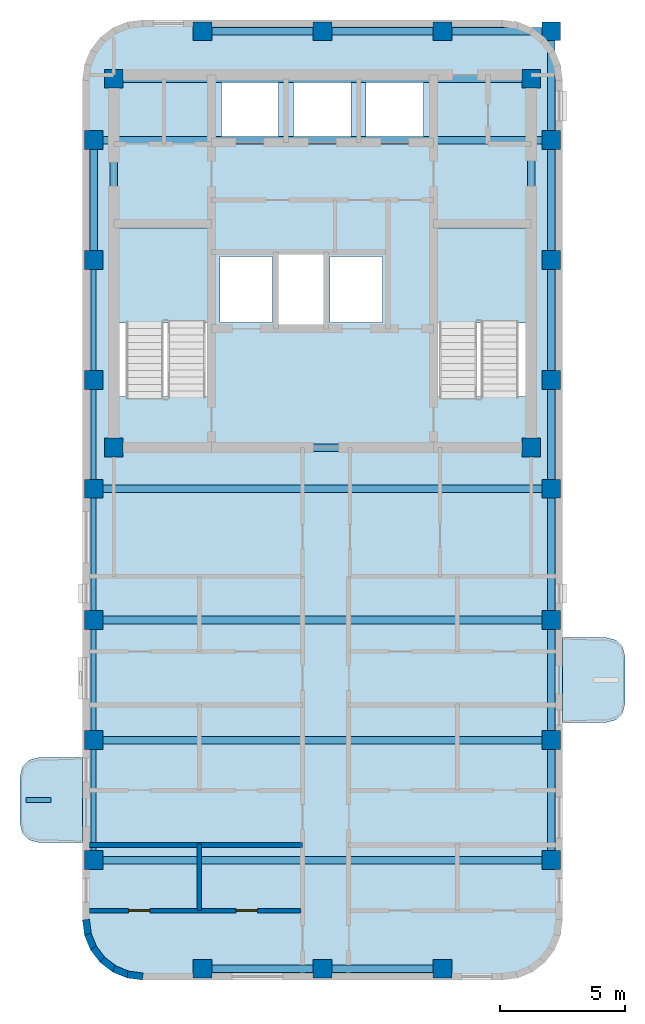
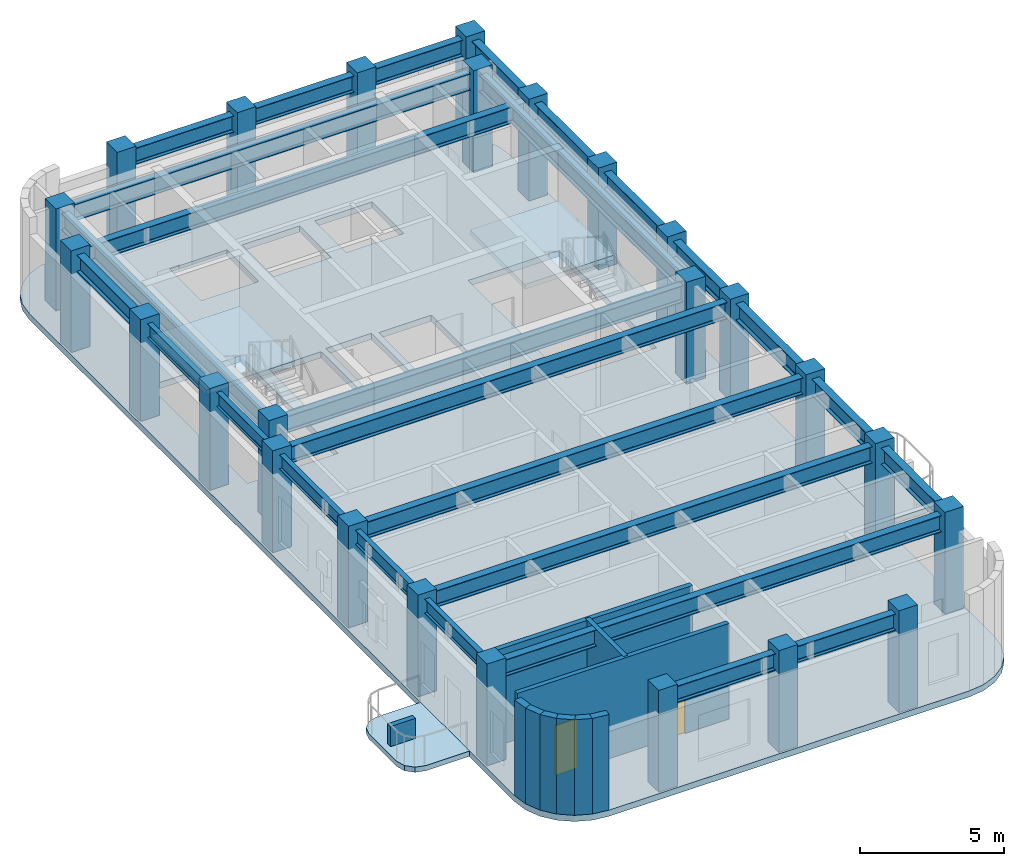
# One storey, part 1 of 6: 27 beams, 25 columns, 10 walls, 5 slabs, 2 doors, 2 openings, 2 elements without a shape of their own.
"""IFC4 building model written with IfcOpenShell, lengths in metres."""

from ifc_helpers import new_model, si_unit, direction, frame, frame_2d, origin, origin_2d, place, context, subcontext, project, spatial, polyline, rectangle, i_section, outline, extrude, material, layer, layer_set, material_profile, profile_set, type_object, element, fill, aggregate, save


model = new_model("IFC4")

# Units and contexts
model_context = context("Model", 3, precision=1e-05, world=origin(), true_north=direction((0.0, 1.0)))
body_context = subcontext(model_context, "Body", "Model", "MODEL_VIEW")
ifc_project = project(units=[si_unit("LENGTHUNIT", "METRE"), si_unit("AREAUNIT", "SQUARE_METRE"), si_unit("VOLUMEUNIT", "CUBIC_METRE"), si_unit("PLANEANGLEUNIT", "RADIAN"), si_unit("MASSUNIT", "GRAM", prefix="KILO")], contexts=[model_context])

# Site, building, storey
site_placement = place(None, origin())
site = spatial("IfcSite", under=ifc_project, at=site_placement, CompositionType="ELEMENT")
building_placement = place(site_placement, origin())
building = spatial("IfcBuilding", under=site, at=building_placement, Name="Orvandelia Arch Residences", CompositionType="ELEMENT")
storey_placement = place(building_placement, frame((0.0, 0.0, 248.39990234375)))
storey = spatial("IfcBuildingStorey", under=building, at=storey_placement, Name="L65", CompositionType="ELEMENT", Elevation=248.39990234375)

# Columns
ifc_material_1 = material(Name="Concrete C50/60", Category="concrete")
ifc_material_profile_1 = material_profile(ifc_material_1, rectangle(XDim=0.75, YDim=0.75, at=origin_2d()), Name="Concrete C50/60", Category="concrete")
ifc_profile_set_1 = profile_set([ifc_material_profile_1], Name="Concrete C50/60")
column_type = type_object("IfcColumnType", Name="COL-TWR-750", PredefinedType="COLUMN", material=ifc_profile_set_1)
for number, where, z_axis, x_axis, name in (
    (1, (5.25, 14.39990234375, 0.0), (0.0, 0.0, 1.0), (1.0, 0.0, 0.0), "Structural Column L65-W-W-144"),
    (2, (5.25, 19.199951171875, 0.0), (0.0, 0.0, 1.0), (1.0, 0.0, 0.0), "Structural Column L65-W-W-192"),
    (3, (5.25, 24.0, 0.0), (0.0, 0.0, 1.0), (1.0, 0.0, 0.0), "Structural Column L65-W-W-240"),
    (4, (5.25, 29.25, 0.0), (0.0, 0.0, 1.0), (1.0, 0.0, 0.0), "Structural Column L65-W-W-292"),
    (5, (5.25, 33.60009765625, 0.0), (0.0, 0.0, 1.0), (1.0, 0.0, 0.0), "Structural Column L65-W-W-336"),
    (6, (5.25, 38.39990234375, 0.0), (0.0, 0.0, 1.0), (1.0, 0.0, 0.0), "Structural Column L65-W-W-384"),
    (7, (5.25, 43.199951171875, 0.0), (0.0, 0.0, 1.0), (1.0, 0.0, 0.0), "Structural Column L65-W-W-432"),
    (8, (6.050048828125, 30.89990234375, 0.0), (0.0, 0.0, 1.0), (1.0, 0.0, 0.0), "Structural Column L65-CR-SW"),
    (9, (6.050048828125, 45.64990234375, 0.0), (0.0, 0.0, 1.0), (1.0, 0.0, 0.0), "Structural Column L65-CR-NW"),
    (10, (9.60009765625, 10.050048828125, 0.0), (0.0, 0.0, 1.0), (1.0, 0.0, 0.0), "Structural Column L65-W-S-96"),
    (11, (9.60009765625, 47.550048828125, 0.0), (0.0, 0.0, 1.0), (1.0, 0.0, 0.0), "Structural Column L65-W-N-96"),
    (12, (14.39990234375, 10.050048828125, 0.0), (0.0, 0.0, 1.0), (1.0, 0.0, 0.0), "Structural Column L65-W-S-144"),
    (13, (14.39990234375, 47.550048828125, 0.0), (0.0, 0.0, 1.0), (1.0, 0.0, 0.0), "Structural Column L65-W-N-144"),
    (14, (19.199951171875, 10.050048828125, 0.0), (0.0, 0.0, 1.0), (1.0, 0.0, 0.0), "Structural Column L65-W-S-192"),
    (15, (19.199951171875, 47.550048828125, 0.0), (0.0, 0.0, 1.0), (1.0, 0.0, 0.0), "Structural Column L65-W-N-192"),
    (16, (22.75, 30.89990234375, 0.0), (0.0, 0.0, 1.0), (1.0, 0.0, 0.0), "Structural Column L65-CR-SE"),
    (17, (22.75, 45.64990234375, 0.0), (0.0, 0.0, 1.0), (1.0, 0.0, 0.0), "Structural Column L65-CR-NE"),
    (18, (23.550048828125, 14.39990234375, 0.0), (0.0, 0.0, 1.0), (1.0, 0.0, 0.0), "Structural Column L65-W-E-144"),
    (19, (23.550048828125, 19.199951171875, 0.0), (0.0, 0.0, 1.0), (1.0, 0.0, 0.0), "Structural Column L65-W-E-192"),
    (20, (23.550048828125, 24.0, 0.0), (0.0, 0.0, 1.0), (1.0, 0.0, 0.0), "Structural Column L65-W-E-240"),
    (21, (23.550048828125, 29.25, 0.0), (0.0, 0.0, 1.0), (1.0, 0.0, 0.0), "Structural Column L65-W-E-292"),
    (22, (23.550048828125, 33.60009765625, 0.0), (0.0, 0.0, 1.0), (1.0, 0.0, 0.0), "Structural Column L65-W-E-336"),
    (23, (23.550048828125, 38.39990234375, 0.0), (0.0, 0.0, 1.0), (1.0, 0.0, 0.0), "Structural Column L65-W-E-384"),
    (24, (23.550048828125, 43.199951171875, 0.0), (0.0, 0.0, 1.0), (1.0, 0.0, 0.0), "Structural Column L65-W-E-432"),
    (25, (23.550048828125, 47.550048828125, 0.0), (0.0, 0.0, 1.0), (1.0, 0.0, 0.0), "Structural Column L65-W-N-235"),
):
    element("IfcColumn", number, at=place(storey_placement, frame(where, z_axis=z_axis, x_axis=x_axis)), inside=storey, type_object=column_type, Name=name, PredefinedType="COLUMN", context=body_context, shape_type="SweptSolid", body=[
        extrude(rectangle(XDim=0.75, YDim=0.75, at=origin_2d()), origin(), (0.0, 0.0, 1.0), 4.300048828125),
    ])

# Beams
ifc_material_2 = material(Name="Structural Steel SM355 (355 MPa)", Category="steel")
ifc_material_profile_2 = material_profile(ifc_material_2, i_section(OverallWidth=0.300048828125, OverallDepth=0.699951171875, WebThickness=0.012939453125, FlangeThickness=0.02392578125, FilletRadius=0.02392578125, at=origin_2d()), Name="Structural Steel SM355 (355 MPa)", Category="steel")
ifc_profile_set_2 = profile_set([ifc_material_profile_2], Name="Structural Steel SM355 (355 MPa)")
beam_type_1 = type_object("IfcBeamType", Name="BM-GRD-H700", PredefinedType="BEAM", material=ifc_profile_set_2)
beam_1_placement = place(storey_placement, frame((5.25, 38.39990234375, 3.690185546875), z_axis=(0.0, 1.0, 0.0), x_axis=(-1.0, 0.0, 0.0)))
element("IfcBeam", 26, at=beam_1_placement, inside=storey, type_object=beam_type_1, Name="Structural Frame Beam L65-NS-006", PredefinedType="BEAM", context=body_context, shape_type="SweptSolid", body=[
    extrude(i_section(OverallWidth=0.300048828125, OverallDepth=0.699951171875, WebThickness=0.012939453125, FlangeThickness=0.02392578125, FilletRadius=0.02392578125, at=origin_2d()), origin(), (0.0, 0.0, 1.0), 4.800048828125),
])
for number, where, z_axis, x_axis, name in (
    (27, (6.050048828125, 30.89990234375, 3.690185546875), (0.0, 1.0, 0.0), (-1.0, 0.0, 0.0), "Structural Frame Beam L65-NS-007"),
    (28, (22.75, 30.89990234375, 3.690185546875), (0.0, 1.0, 0.0), (-1.0, 0.0, 0.0), "Structural Frame Beam L65-NS-008"),
):
    element("IfcBeam", number, at=place(storey_placement, frame(where, z_axis=z_axis, x_axis=x_axis)), inside=storey, type_object=beam_type_1, Name=name, PredefinedType="BEAM", context=body_context, shape_type="SweptSolid", body=[
        extrude(i_section(OverallWidth=0.300048828125, OverallDepth=0.699951171875, WebThickness=0.012939453125, FlangeThickness=0.02392578125, FilletRadius=0.02392578125, at=origin_2d()), origin(), (0.0, 0.0, 1.0), 14.75),
    ])
for number, where, z_axis, x_axis, name in (
    (29, (23.550048828125, 14.39990234375, 3.690185546875), (0.0, 1.0, 0.0), (-1.0, 0.0, 0.0), "Structural Frame Beam L65-NS-009"),
    (30, (23.550048828125, 19.199951171875, 3.690185546875), (0.0, 1.0, 0.0), (-1.0, 0.0, 0.0), "Structural Frame Beam L65-NS-010"),
):
    element("IfcBeam", number, at=place(storey_placement, frame(where, z_axis=z_axis, x_axis=x_axis)), inside=storey, type_object=beam_type_1, Name=name, PredefinedType="BEAM", context=body_context, shape_type="SweptSolid", body=[
        extrude(i_section(OverallWidth=0.300048828125, OverallDepth=0.699951171875, WebThickness=0.012939453125, FlangeThickness=0.02392578125, FilletRadius=0.02392578125, at=origin_2d()), origin(), (0.0, 0.0, 1.0), 4.800048828125),
    ])
beam_2_placement = place(storey_placement, frame((23.550048828125, 24.0, 3.690185546875), z_axis=(0.0, 1.0, 0.0), x_axis=(-1.0, 0.0, 0.0)))
element("IfcBeam", 31, at=beam_2_placement, inside=storey, type_object=beam_type_1, Name="Structural Frame Beam L65-NS-011", PredefinedType="BEAM", context=body_context, shape_type="SweptSolid", body=[
    extrude(i_section(OverallWidth=0.300048828125, OverallDepth=0.699951171875, WebThickness=0.012939453125, FlangeThickness=0.02392578125, FilletRadius=0.02392578125, at=origin_2d()), origin(), (0.0, 0.0, 1.0), 5.25),
])
beam_3_placement = place(storey_placement, frame((23.550048828125, 29.25, 3.690185546875), z_axis=(0.0, 1.0, 0.0), x_axis=(-1.0, 0.0, 0.0)))
element("IfcBeam", 32, at=beam_3_placement, inside=storey, type_object=beam_type_1, Name="Structural Frame Beam L65-NS-012", PredefinedType="BEAM", context=body_context, shape_type="SweptSolid", body=[
    extrude(i_section(OverallWidth=0.300048828125, OverallDepth=0.699951171875, WebThickness=0.012939453125, FlangeThickness=0.02392578125, FilletRadius=0.02392578125, at=origin_2d()), origin(), (0.0, 0.0, 1.0), 4.35009765625),
])
beam_4_placement = place(storey_placement, frame((23.550048828125, 33.60009765625, 3.690185546875), z_axis=(0.0, 1.0, 0.0), x_axis=(-1.0, 0.0, 0.0)))
element("IfcBeam", 33, at=beam_4_placement, inside=storey, type_object=beam_type_1, Name="Structural Frame Beam L65-NS-013", PredefinedType="BEAM", context=body_context, shape_type="SweptSolid", body=[
    extrude(i_section(OverallWidth=0.300048828125, OverallDepth=0.699951171875, WebThickness=0.012939453125, FlangeThickness=0.02392578125, FilletRadius=0.02392578125, at=origin_2d()), origin(), (0.0, 0.0, 1.0), 4.7998046875),
])
beam_5_placement = place(storey_placement, frame((23.550048828125, 38.39990234375, 3.690185546875), z_axis=(0.0, 1.0, 0.0), x_axis=(-1.0, 0.0, 0.0)))
element("IfcBeam", 34, at=beam_5_placement, inside=storey, type_object=beam_type_1, Name="Structural Frame Beam L65-NS-014", PredefinedType="BEAM", context=body_context, shape_type="SweptSolid", body=[
    extrude(i_section(OverallWidth=0.300048828125, OverallDepth=0.699951171875, WebThickness=0.012939453125, FlangeThickness=0.02392578125, FilletRadius=0.02392578125, at=origin_2d()), origin(), (0.0, 0.0, 1.0), 4.800048828125),
])
beam_6_placement = place(storey_placement, frame((23.550048828125, 43.199951171875, 3.690185546875), z_axis=(0.0, 1.0, 0.0), x_axis=(-1.0, 0.0, 0.0)))
element("IfcBeam", 35, at=beam_6_placement, inside=storey, type_object=beam_type_1, Name="Structural Frame Beam L65-NS-015", PredefinedType="BEAM", context=body_context, shape_type="SweptSolid", body=[
    extrude(i_section(OverallWidth=0.300048828125, OverallDepth=0.699951171875, WebThickness=0.012939453125, FlangeThickness=0.02392578125, FilletRadius=0.02392578125, at=origin_2d()), origin(), (0.0, 0.0, 1.0), 4.35009765625),
])
beam_7_placement = place(storey_placement, frame((9.60009765625, 10.050048828125, 3.690185546875), z_axis=(1.0, 0.0, 0.0), x_axis=(0.0, 1.0, 0.0)))
element("IfcBeam", 36, at=beam_7_placement, inside=storey, type_object=beam_type_1, Name="Structural Frame Girder L65-EW-016", PredefinedType="BEAM", context=body_context, shape_type="SweptSolid", body=[
    extrude(i_section(OverallWidth=0.300048828125, OverallDepth=0.699951171875, WebThickness=0.012939453125, FlangeThickness=0.02392578125, FilletRadius=0.02392578125, at=origin_2d()), origin(), (0.0, 0.0, 1.0), 4.7998046875),
])
beam_8_placement = place(storey_placement, frame((14.39990234375, 10.050048828125, 3.690185546875), z_axis=(1.0, 0.0, 0.0), x_axis=(0.0, 1.0, 0.0)))
element("IfcBeam", 37, at=beam_8_placement, inside=storey, type_object=beam_type_1, Name="Structural Frame Girder L65-EW-017", PredefinedType="BEAM", context=body_context, shape_type="SweptSolid", body=[
    extrude(i_section(OverallWidth=0.300048828125, OverallDepth=0.699951171875, WebThickness=0.012939453125, FlangeThickness=0.02392578125, FilletRadius=0.02392578125, at=origin_2d()), origin(), (0.0, 0.0, 1.0), 4.800048828125),
])
for number, where, z_axis, x_axis, name in (
    (38, (5.25, 14.39990234375, 3.690185546875), (1.0, 0.0, 0.0), (0.0, 1.0, 0.0), "Structural Frame Girder L65-EW-018"),
    (39, (5.25, 19.199951171875, 3.690185546875), (1.0, 0.0, 0.0), (0.0, 1.0, 0.0), "Structural Frame Girder L65-EW-019"),
    (40, (5.25, 24.0, 3.690185546875), (1.0, 0.0, 0.0), (0.0, 1.0, 0.0), "Structural Frame Girder L65-EW-020"),
    (41, (5.25, 29.25, 3.690185546875), (1.0, 0.0, 0.0), (0.0, 1.0, 0.0), "Structural Frame Girder L65-EW-021"),
):
    element("IfcBeam", number, at=place(storey_placement, frame(where, z_axis=z_axis, x_axis=x_axis)), inside=storey, type_object=beam_type_1, Name=name, PredefinedType="BEAM", context=body_context, shape_type="SweptSolid", body=[
        extrude(i_section(OverallWidth=0.300048828125, OverallDepth=0.699951171875, WebThickness=0.012939453125, FlangeThickness=0.02392578125, FilletRadius=0.02392578125, at=origin_2d()), origin(), (0.0, 0.0, 1.0), 18.300048828125),
    ])
beam_9_placement = place(storey_placement, frame((6.050048828125, 30.89990234375, 3.690185546875), z_axis=(1.0, 0.0, 0.0), x_axis=(0.0, 1.0, 0.0)))
element("IfcBeam", 42, at=beam_9_placement, inside=storey, type_object=beam_type_1, Name="Structural Frame Girder L65-EW-022", PredefinedType="BEAM", context=body_context, shape_type="SweptSolid", body=[
    extrude(i_section(OverallWidth=0.300048828125, OverallDepth=0.699951171875, WebThickness=0.012939453125, FlangeThickness=0.02392578125, FilletRadius=0.02392578125, at=origin_2d()), origin(), (0.0, 0.0, 1.0), 16.699951171875),
])
beam_10_placement = place(storey_placement, frame((5.25, 43.199951171875, 3.690185546875), z_axis=(1.0, 0.0, 0.0), x_axis=(0.0, 1.0, 0.0)))
element("IfcBeam", 43, at=beam_10_placement, inside=storey, type_object=beam_type_1, Name="Structural Frame Girder L65-EW-025", PredefinedType="BEAM", context=body_context, shape_type="SweptSolid", body=[
    extrude(i_section(OverallWidth=0.300048828125, OverallDepth=0.699951171875, WebThickness=0.012939453125, FlangeThickness=0.02392578125, FilletRadius=0.02392578125, at=origin_2d()), origin(), (0.0, 0.0, 1.0), 18.300048828125),
])
beam_11_placement = place(storey_placement, frame((6.050048828125, 45.64990234375, 3.690185546875), z_axis=(1.0, 0.0, 0.0), x_axis=(0.0, 1.0, 0.0)))
element("IfcBeam", 44, at=beam_11_placement, inside=storey, type_object=beam_type_1, Name="Structural Frame Girder L65-EW-026", PredefinedType="BEAM", context=body_context, shape_type="SweptSolid", body=[
    extrude(i_section(OverallWidth=0.300048828125, OverallDepth=0.699951171875, WebThickness=0.012939453125, FlangeThickness=0.02392578125, FilletRadius=0.02392578125, at=origin_2d()), origin(), (0.0, 0.0, 1.0), 16.699951171875),
])
beam_12_placement = place(storey_placement, frame((9.60009765625, 47.550048828125, 3.690185546875), z_axis=(1.0, 0.0, 0.0), x_axis=(0.0, 1.0, 0.0)))
element("IfcBeam", 45, at=beam_12_placement, inside=storey, type_object=beam_type_1, Name="Structural Frame Girder L65-EW-027", PredefinedType="BEAM", context=body_context, shape_type="SweptSolid", body=[
    extrude(i_section(OverallWidth=0.300048828125, OverallDepth=0.699951171875, WebThickness=0.012939453125, FlangeThickness=0.02392578125, FilletRadius=0.02392578125, at=origin_2d()), origin(), (0.0, 0.0, 1.0), 4.7998046875),
])
beam_13_placement = place(storey_placement, frame((14.39990234375, 47.550048828125, 3.690185546875), z_axis=(1.0, 0.0, 0.0), x_axis=(0.0, 1.0, 0.0)))
element("IfcBeam", 46, at=beam_13_placement, inside=storey, type_object=beam_type_1, Name="Structural Frame Girder L65-EW-028", PredefinedType="BEAM", context=body_context, shape_type="SweptSolid", body=[
    extrude(i_section(OverallWidth=0.300048828125, OverallDepth=0.699951171875, WebThickness=0.012939453125, FlangeThickness=0.02392578125, FilletRadius=0.02392578125, at=origin_2d()), origin(), (0.0, 0.0, 1.0), 4.800048828125),
])
beam_14_placement = place(storey_placement, frame((19.199951171875, 47.550048828125, 3.690185546875), z_axis=(1.0, 0.0, 0.0), x_axis=(0.0, 1.0, 0.0)))
element("IfcBeam", 47, at=beam_14_placement, inside=storey, type_object=beam_type_1, Name="Structural Frame Girder L65-EW-029", PredefinedType="BEAM", context=body_context, shape_type="SweptSolid", body=[
    extrude(i_section(OverallWidth=0.300048828125, OverallDepth=0.699951171875, WebThickness=0.012939453125, FlangeThickness=0.02392578125, FilletRadius=0.02392578125, at=origin_2d()), origin(), (0.0, 0.0, 1.0), 4.35009765625),
])
ifc_material_profile_3 = material_profile(ifc_material_2, i_section(OverallWidth=0.199951171875, OverallDepth=0.60009765625, WebThickness=0.010986328125, FlangeThickness=0.01708984375, FilletRadius=0.02197265625, at=origin_2d()), Name="Structural Steel SM355 (355 MPa)", Category="steel")
ifc_profile_set_3 = profile_set([ifc_material_profile_3], Name="Structural Steel SM355 (355 MPa)")
beam_type_2 = type_object("IfcBeamType", Name="BM-SPN-H600", PredefinedType="SPANDREL", material=ifc_profile_set_3)
for number, where, z_axis, x_axis, name in (
    (48, (5.25, 14.39990234375, 3.739990234375), (0.0, 1.0, 0.0), (-1.0, 0.0, 0.0), "Structural Frame Beam L65-NS-001"),
    (49, (5.25, 19.199951171875, 3.739990234375), (0.0, 1.0, 0.0), (-1.0, 0.0, 0.0), "Structural Frame Beam L65-NS-002"),
):
    element("IfcBeam", number, at=place(storey_placement, frame(where, z_axis=z_axis, x_axis=x_axis)), inside=storey, type_object=beam_type_2, Name=name, PredefinedType="SPANDREL", context=body_context, shape_type="SweptSolid", body=[
        extrude(i_section(OverallWidth=0.199951171875, OverallDepth=0.60009765625, WebThickness=0.010986328125, FlangeThickness=0.01708984375, FilletRadius=0.02197265625, at=origin_2d()), origin(), (0.0, 0.0, 1.0), 4.800048828125),
    ])
beam_15_placement = place(storey_placement, frame((5.25, 24.0, 3.739990234375), z_axis=(0.0, 1.0, 0.0), x_axis=(-1.0, 0.0, 0.0)))
element("IfcBeam", 50, at=beam_15_placement, inside=storey, type_object=beam_type_2, Name="Structural Frame Beam L65-NS-003", PredefinedType="SPANDREL", context=body_context, shape_type="SweptSolid", body=[
    extrude(i_section(OverallWidth=0.199951171875, OverallDepth=0.60009765625, WebThickness=0.010986328125, FlangeThickness=0.01708984375, FilletRadius=0.02197265625, at=origin_2d()), origin(), (0.0, 0.0, 1.0), 5.25),
])
beam_16_placement = place(storey_placement, frame((5.25, 29.25, 3.739990234375), z_axis=(0.0, 1.0, 0.0), x_axis=(-1.0, 0.0, 0.0)))
element("IfcBeam", 51, at=beam_16_placement, inside=storey, type_object=beam_type_2, Name="Structural Frame Beam L65-NS-004", PredefinedType="SPANDREL", context=body_context, shape_type="SweptSolid", body=[
    extrude(i_section(OverallWidth=0.199951171875, OverallDepth=0.60009765625, WebThickness=0.010986328125, FlangeThickness=0.01708984375, FilletRadius=0.02197265625, at=origin_2d()), origin(), (0.0, 0.0, 1.0), 4.35009765625),
])
beam_17_placement = place(storey_placement, frame((5.25, 33.60009765625, 3.739990234375), z_axis=(0.0, 1.0, 0.0), x_axis=(-1.0, 0.0, 0.0)))
element("IfcBeam", 52, at=beam_17_placement, inside=storey, type_object=beam_type_2, Name="Structural Frame Beam L65-NS-005", PredefinedType="SPANDREL", context=body_context, shape_type="SweptSolid", body=[
    extrude(i_section(OverallWidth=0.199951171875, OverallDepth=0.60009765625, WebThickness=0.010986328125, FlangeThickness=0.01708984375, FilletRadius=0.02197265625, at=origin_2d()), origin(), (0.0, 0.0, 1.0), 4.7998046875),
])

# Slabs
ifc_material_3 = material(Name="Precast concrete C40/50", Category="concrete")
ifc_layer_1 = layer(ifc_material_3, 0.219970703125, Name="Precast concrete C40/50", Category="concrete")
ifc_layer_set_1 = layer_set([ifc_layer_1], Name="Precast concrete C40/50")
slab_type_1 = type_object("IfcSlabType", Name="SLB-BAL-220", PredefinedType="USERDEFINED", material=ifc_layer_set_1)
slab_1_placement = place(storey_placement, frame((0.0, 0.0, -0.219970703125)))
element("IfcSlab", 53, at=slab_1_placement, inside=storey, type_object=slab_type_1, Name="Tree Balcony Cantilever Slab BAL-L65-W1", ObjectType="BALCONY", PredefinedType="USERDEFINED", context=body_context, shape_type="SweptSolid", body=[
    extrude(outline(polyline([(4.800048828125, 15.10009765625), (4.800048828125, 18.5), (3.050048828125, 18.5), (2.675048828125, 18.3994140625), (2.400390625, 18.125), (2.300048828125, 17.75), (2.300048828125, 15.85009765625), (2.400390625, 15.47509765625), (2.675048828125, 15.200439453125), (3.050048828125, 15.10009765625), (4.800048828125, 15.10009765625)])), origin(), (0.0, 0.0, 1.0), 0.219970703125),
])
slab_2_placement = place(storey_placement, frame((0.0, 0.0, -0.219970703125)))
element("IfcSlab", 54, at=slab_2_placement, inside=storey, type_object=slab_type_1, Name="Tree Balcony Cantilever Slab BAL-L65-W2", ObjectType="BALCONY", PredefinedType="USERDEFINED", context=body_context, shape_type="SweptSolid", body=[
    extrude(outline(polyline([(24.0, 23.300048828125), (24.0, 19.89990234375), (25.75, 19.89990234375), (26.125, 20.00048828125), (26.3994140625, 20.27490234375), (26.5, 20.64990234375), (26.5, 22.550048828125), (26.3994140625, 22.925048828125), (26.125, 23.199462890625), (25.75, 23.300048828125), (24.0, 23.300048828125)])), origin(), (0.0, 0.0, 1.0), 0.219970703125),
])

# Stair, slab
ifc_material_4 = material(Name="Concrete C40/50", Category="concrete")
stair_type = type_object("IfcStairType", Name="STAIR-RC-DOGLEG", PredefinedType="HALF_TURN_STAIR", material=ifc_material_4)
stair_1_placement = place(storey_placement, origin())
stair_1 = element("IfcStair", 55, at=stair_1_placement, inside=storey, type_object=stair_type, Name="L65 Protected Exit Stair ST-1", PredefinedType="HALF_TURN_STAIR")
ifc_layer_2 = layer(ifc_material_4, 0.219970703125, Name="Concrete C40/50", Category="concrete")
ifc_layer_set_2 = layer_set([ifc_layer_2], Name="Concrete C40/50")
slab_type_2 = type_object("IfcSlabType", Name="SLB-LANDING-220", PredefinedType="LANDING", material=ifc_layer_set_2)
slab_3_placement = place(storey_placement, frame((0.0, 0.0, 1.9501953125)))
slab_3 = element("IfcSlab", 56, at=slab_3_placement, type_object=slab_type_2, Name="ST-1 landing 1", PredefinedType="LANDING", context=body_context, shape_type="SweptSolid", body=[
    extrude(outline(polyline([(9.800048828125, 35.8701171875), (9.800048828125, 39.68994140625), (6.260009765625, 39.68994140625), (6.260009765625, 35.8701171875), (9.800048828125, 35.8701171875)])), origin(), (0.0, 0.0, 1.0), 0.199951171875),
])
aggregate(stair_1, [slab_3])

stair_2_placement = place(storey_placement, origin())
stair_2 = element("IfcStair", 57, at=stair_2_placement, inside=storey, type_object=stair_type, Name="L65 Protected Exit Stair ST-2", PredefinedType="HALF_TURN_STAIR")
slab_4_placement = place(storey_placement, frame((0.0, 0.0, 1.9501953125)))
slab_4 = element("IfcSlab", 58, at=slab_4_placement, type_object=slab_type_2, Name="ST-2 landing 1", PredefinedType="LANDING", context=body_context, shape_type="SweptSolid", body=[
    extrude(outline(polyline([(22.5400390625, 35.8701171875), (22.5400390625, 39.68994140625), (19.0, 39.68994140625), (19.0, 35.8701171875), (22.5400390625, 35.8701171875)])), origin(), (0.0, 0.0, 1.0), 0.199951171875),
])
aggregate(stair_2, [slab_4])

# Slab
ifc_layer_3 = layer(ifc_material_4, 0.260009765625, Name="Concrete C40/50", Category="concrete")
ifc_layer_set_3 = layer_set([ifc_layer_3], Name="Concrete C40/50")
slab_type_3 = type_object("IfcSlabType", Name="SLB-TWR-260", PredefinedType="FLOOR", material=ifc_layer_set_3)
slab_5_placement = place(storey_placement, frame((0.0, 0.0, -0.260009765625)))
element("IfcSlab", 59, at=slab_5_placement, inside=storey, type_object=slab_type_3, Name="Structural Floor Slab L65-1", PredefinedType="FLOOR", context=body_context, shape_type="SweptSolid", body=[
    extrude(outline(polyline([(4.800048828125, 12.0), (4.8818359375, 11.37890625), (5.12158203125, 10.800048828125), (5.5029296875, 10.302978515625), (6.0, 9.92138671875), (6.578857421875, 9.681884765625), (7.199951171875, 9.60009765625), (21.60009765625, 9.60009765625), (22.22119140625, 9.681884765625), (22.800048828125, 9.92138671875), (23.297119140625, 10.302978515625), (23.678466796875, 10.800048828125), (23.918212890625, 11.37890625), (24.0, 12.0), (24.0, 45.60009765625), (23.918212890625, 46.22119140625), (23.678466796875, 46.800048828125), (23.297119140625, 47.297119140625), (22.800048828125, 47.678466796875), (22.22119140625, 47.918212890625), (21.60009765625, 48.0), (7.199951171875, 48.0), (6.578857421875, 47.918212890625), (6.0, 47.678466796875), (5.5029296875, 47.297119140625), (5.12158203125, 46.800048828125), (4.8818359375, 46.22119140625), (4.800048828125, 45.60009765625), (4.800048828125, 12.0)]), holes=[polyline([(6.219970703125, 32.949951171875), (9.840087890625, 32.949951171875), (9.840087890625, 39.72998046875), (6.219970703125, 39.72998046875), (6.219970703125, 32.949951171875)]), polyline([(18.9599609375, 32.949951171875), (22.580078125, 32.949951171875), (22.580078125, 39.72998046875), (18.9599609375, 39.72998046875), (18.9599609375, 32.949951171875)]), polyline([(12.639892578125, 35.81005859375), (14.4599609375, 35.81005859375), (14.4599609375, 38.639892578125), (12.639892578125, 38.639892578125), (12.639892578125, 35.81005859375)]), polyline([(10.300048828125, 35.89990234375), (12.39990234375, 35.89990234375), (12.39990234375, 38.550048828125), (10.300048828125, 38.550048828125), (10.300048828125, 35.89990234375)]), polyline([(14.699951171875, 35.89990234375), (16.800048828125, 35.89990234375), (16.800048828125, 38.550048828125), (14.699951171875, 38.550048828125), (14.699951171875, 35.89990234375)]), polyline([(10.35009765625, 43.300048828125), (12.64990234375, 43.300048828125), (12.64990234375, 45.5), (10.35009765625, 45.5), (10.35009765625, 43.300048828125)]), polyline([(13.25, 43.300048828125), (15.550048828125, 43.300048828125), (15.550048828125, 45.5), (13.25, 45.5), (13.25, 43.300048828125)]), polyline([(16.14990234375, 43.300048828125), (18.449951171875, 43.300048828125), (18.449951171875, 45.5), (16.14990234375, 45.5), (16.14990234375, 43.300048828125)])]), origin(), (0.0, 0.0, 1.0), 0.260009765625),
])

# Walls
ifc_layer_4 = layer(ifc_material_4, 0.199951171875, Name="Concrete C40/50", Category="concrete")
ifc_layer_set_4 = layer_set([ifc_layer_4], Name="Concrete C40/50")
wall_type_1 = type_object("IfcWallType", Name="WL-DEM-200", PredefinedType="SOLIDWALL", material=ifc_layer_set_4)
wall_1_placement = place(storey_placement, frame((5.080078125, 15.0, 0.0), z_axis=(0.0, 0.0, 1.0), x_axis=(1.0, 0.0, 0.0)))
element("IfcWall", 60, at=wall_1_placement, inside=storey, type_object=wall_type_1, Name="Interior Partition Wall WL-L65-DEM-WL-150", PredefinedType="SOLIDWALL", context=body_context, shape_type="SweptSolid", body=[
    extrude(rectangle(XDim=8.52001953125, YDim=0.199951171875, at=frame_2d((4.260009765625, 0.0))), origin(), (0.0, 0.0, 1.0), 4.0400390625),
])
ifc_layer_5 = layer(ifc_material_3, 0.280029296875, Name="Precast concrete C40/50", Category="concrete")
ifc_layer_set_5 = layer_set([ifc_layer_5], Name="Precast concrete C40/50")
wall_type_2 = type_object("IfcWallType", Name="WL-EXT-STONE-280", PredefinedType="STANDARD", material=ifc_layer_set_5)
wall_2_placement = place(storey_placement, frame((7.21826171875, 9.73876953125, 0.0), z_axis=(0.0, 0.0, 1.0), x_axis=(-0.9914410257, 0.130555323746, 0.0)))
element("IfcWall", 61, at=wall_2_placement, inside=storey, type_object=wall_type_2, Name="Coral-Limestone Precast Facade Wall L65-022", PredefinedType="STANDARD", context=body_context, shape_type="SweptSolid", body=[
    extrude(rectangle(XDim=0.62646484375, YDim=0.280029296875, at=frame_2d((0.313232421875, 0.0))), origin(), (0.0, 0.0, 1.0), 4.0400390625),
])
wall_3_placement = place(storey_placement, frame((6.63232421875, 9.81103515625, 0.0), z_axis=(0.0, 0.0, 1.0), x_axis=(-0.923836271867, 0.382787856107, 0.0)))
element("IfcWall", 62, at=wall_3_placement, inside=storey, type_object=wall_type_2, Name="Coral-Limestone Precast Facade Wall L65-023", PredefinedType="STANDARD", context=body_context, shape_type="SweptSolid", body=[
    extrude(rectangle(XDim=0.626220703125, YDim=0.280029296875, at=frame_2d((0.31298828125, 0.0))), origin(), (0.0, 0.0, 1.0), 4.0400390625),
])
for number, where, z_axis, x_axis, name in (
    (63, (6.085205078125, 10.03271484375, 0.0), (0.0, 0.0, 1.0), (-0.793405610854, 0.608693302629, 0.0), "Coral-Limestone Precast Facade Wall L65-024"),
    (64, (5.614013671875, 10.38818359375, 0.0), (0.0, 0.0, 1.0), (-0.608693302629, 0.793405610854, 0.0), "Coral-Limestone Precast Facade Wall L65-025"),
    (65, (5.250732421875, 10.853515625, 0.0), (0.0, 0.0, 1.0), (-0.382650053678, 0.92389335771, 0.0), "Coral-Limestone Precast Facade Wall L65-026"),
    (66, (5.0205078125, 11.397216796875, 0.0), (0.0, 0.0, 1.0), (-0.130555323746, 0.9914410257, 0.0), "Coral-Limestone Precast Facade Wall L65-027"),
):
    element("IfcWall", number, at=place(storey_placement, frame(where, z_axis=z_axis, x_axis=x_axis)), inside=storey, type_object=wall_type_2, Name=name, PredefinedType="STANDARD", context=body_context, shape_type="SweptSolid", body=[
        extrude(rectangle(XDim=0.62646484375, YDim=0.280029296875, at=frame_2d((0.313232421875, 0.0))), origin(), (0.0, 0.0, 1.0), 4.0400390625),
    ])
ifc_layer_6 = layer(ifc_material_3, 0.199951171875, Name="Precast concrete C40/50", Category="concrete")
ifc_layer_set_6 = layer_set([ifc_layer_6], Name="Precast concrete C40/50")
wall_type_3 = type_object("IfcWallType", Name="WL-PLANTER-200", PredefinedType="MOVABLE", material=ifc_layer_set_6)
wall_4_placement = place(storey_placement, frame((2.550048828125, 16.800048828125, 0.0), z_axis=(0.0, 0.0, 1.0), x_axis=(1.0, 0.0, 0.0)))
element("IfcWall", 67, at=wall_4_placement, inside=storey, type_object=wall_type_3, Name="Balcony Precast Tree Planter BAL-L65-W1", PredefinedType="MOVABLE", context=body_context, shape_type="SweptSolid", body=[
    extrude(rectangle(XDim=1.0, YDim=0.199951171875, at=frame_2d((0.5, 0.0))), origin(), (0.0, 0.0, 1.0), 0.85009765625),
])

# Wall, openings, doors
ifc_material_5 = material(Name="Moisture-Resistant Plumbing Wall")
ifc_layer_7 = layer(ifc_material_5, 0.179931640625, Name="Moisture-Resistant Plumbing Wall")
ifc_layer_set_7 = layer_set([ifc_layer_7], Name="Moisture-Resistant Plumbing Wall")
wall_type_4 = type_object("IfcWallType", Name="WL-WET-180", PredefinedType="PLUMBINGWALL", material=ifc_layer_set_7)
wall_5_placement = place(storey_placement, frame((5.080078125, 12.3759765625, 0.0), z_axis=(0.0, 0.0, 1.0), x_axis=(1.0, 0.0, 0.0)))
wall_5 = element("IfcWall", 68, at=wall_5_placement, inside=storey, type_object=wall_type_4, Name="Interior Partition Wall WL-L65-U01-HZ", PredefinedType="PLUMBINGWALL", context=body_context, shape_type="SweptSolid", body=[
    extrude(rectangle(XDim=8.4599609375, YDim=0.179931640625, at=frame_2d((4.22998046875, 0.0))), origin(), (0.0, 0.0, 1.0), 4.0400390625),
])
opening_1_placement = place(wall_5_placement, frame((1.56005859375, 0.0, 0.0)))
opening_1 = element("IfcOpeningElement", 69, at=opening_1_placement, cuts=wall_5, Name="Opening D4", PredefinedType="OPENING", context=body_context, shape_type="SweptSolid", body=[
    extrude(rectangle(XDim=0.860107421875, YDim=2.10009765625, at=frame_2d((0.43017578125, 1.050048828125))), frame((0.0, 0.10009765625, 0.0), z_axis=(0.0, -1.0, 0.0), x_axis=(1.0, 0.0, 0.0)), (0.0, 0.0, 1.0), 0.199951171875),
])
opening_2_placement = place(wall_5_placement, frame((5.85009765625, 0.0, 0.0)))
opening_2 = element("IfcOpeningElement", 70, at=opening_2_placement, cuts=wall_5, Name="Opening D4", PredefinedType="OPENING", context=body_context, shape_type="SweptSolid", body=[
    extrude(rectangle(XDim=0.860107421875, YDim=2.10009765625, at=frame_2d((0.43017578125, 1.050048828125))), frame((0.0, 0.10009765625, 0.0), z_axis=(0.0, -1.0, 0.0), x_axis=(1.0, 0.0, 0.0)), (0.0, 0.0, 1.0), 0.199951171875),
])
ifc_material_6 = material(Name="Moisture-Sealed Timber Bathroom Door", Category="wood")
door_type = type_object("IfcDoorType", Name="DR-WET-900", OperationType="NOTDEFINED", PredefinedType="DOOR", material=ifc_material_6)
door_1_placement = place(opening_1_placement, origin())
door_1 = element("IfcDoor", 71, at=door_1_placement, inside=storey, type_object=door_type, Name="DR-L65-U01-KIT", OperationType="SINGLE_SWING_LEFT", OverallHeight=2.10009765625, OverallWidth=0.860107421875, PredefinedType="DOOR", context=body_context, shape_type="SweptSolid", body=[
    extrude(rectangle(XDim=0.860107421875, YDim=2.10009765625, at=frame_2d((0.43017578125, 1.050048828125))), frame((0.0, 0.02490234375, 0.0), z_axis=(0.0, -1.0, 0.0), x_axis=(1.0, 0.0, 0.0)), (0.0, 0.0, 1.0), 0.050048828125),
])
fill(opening_1, door_1)
door_2_placement = place(opening_2_placement, origin())
door_2 = element("IfcDoor", 72, at=door_2_placement, inside=storey, type_object=door_type, Name="DR-L65-U01-BTH", OperationType="SINGLE_SWING_RIGHT", OverallHeight=2.10009765625, OverallWidth=0.860107421875, PredefinedType="DOOR", context=body_context, shape_type="SweptSolid", body=[
    extrude(rectangle(XDim=0.860107421875, YDim=2.10009765625, at=frame_2d((0.43017578125, 1.050048828125))), frame((0.0, 0.02490234375, 0.0), z_axis=(0.0, -1.0, 0.0), x_axis=(1.0, 0.0, 0.0)), (0.0, 0.0, 1.0), 0.050048828125),
])
fill(opening_2, door_2)

# Wall
wall_6_placement = place(storey_placement, frame((9.469970703125, 12.3759765625, 0.0), z_axis=(0.0, 0.0, 1.0), x_axis=(0.0, 1.0, 0.0)))
element("IfcWall", 73, at=wall_6_placement, inside=storey, type_object=wall_type_4, Name="Interior Partition Wall WL-L65-U01-V1", PredefinedType="PLUMBINGWALL", context=body_context, shape_type="SweptSolid", body=[
    extrude(rectangle(XDim=2.6640625, YDim=0.179931640625, at=frame_2d((1.33203125, 0.0))), origin(), (0.0, 0.0, 1.0), 4.0400390625),
])

save(model, "model.ifc")
